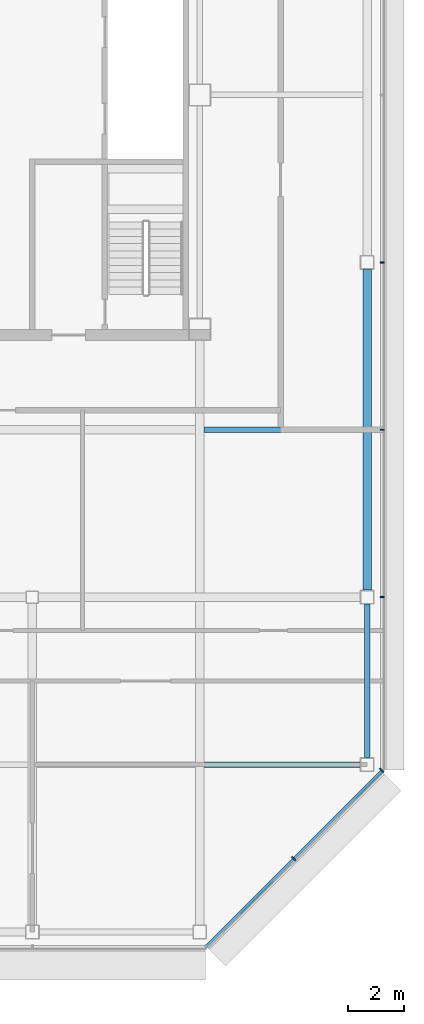
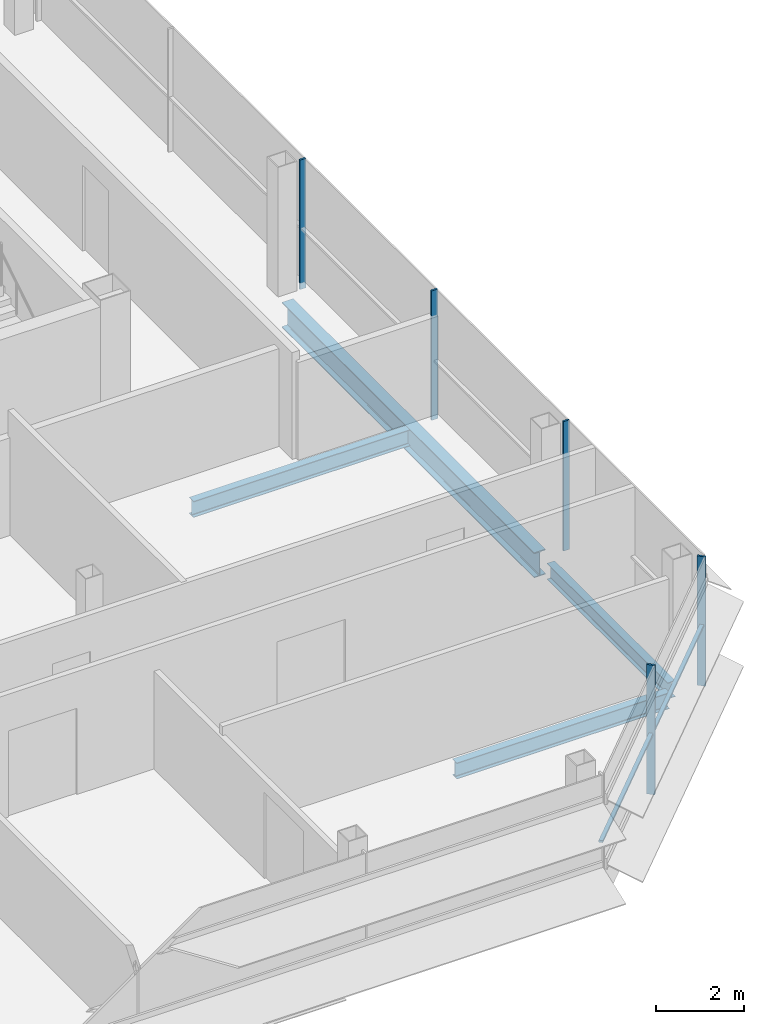
# One storey, part 17 of 27: 6 members, 4 beams, 2 elements without a shape of their own.
"""IFC4 building model written with IfcOpenShell, lengths in metres."""

from ifc_helpers import new_model, si_unit, direction, frame, origin, origin_2d, place, context, subcontext, project, spatial, rectangle, i_section, extrude, material, material_profile, profile_set, type_object, element, aggregate, save


model = new_model("IFC4")

# Units and contexts
model_context = context("Model", 3, precision=1e-05, world=origin(), true_north=direction((0.0, 1.0)))
body_context = subcontext(model_context, "Body", "Model", "MODEL_VIEW")
ifc_project = project(units=[si_unit("LENGTHUNIT", "METRE"), si_unit("AREAUNIT", "SQUARE_METRE"), si_unit("VOLUMEUNIT", "CUBIC_METRE"), si_unit("PLANEANGLEUNIT", "RADIAN"), si_unit("MASSUNIT", "GRAM", prefix="KILO")], contexts=[model_context])

# Site, building, storey
site_placement = place(None, origin())
site = spatial("IfcSite", under=ifc_project, at=site_placement, CompositionType="ELEMENT")
building_placement = place(site_placement, origin())
building = spatial("IfcBuilding", under=site, at=building_placement, Name="Sorahane Residences", CompositionType="ELEMENT")
storey_placement = place(building_placement, frame((0.0, 0.0, 323.199951171875)))
storey = spatial("IfcBuildingStorey", under=building, at=storey_placement, Name="L77", CompositionType="ELEMENT", Elevation=323.199951171875)

# Curtain wall, members
ifc_material_1 = material(Name="Dark low-e glass and black anodised aluminium", Category="aluminium")
curtain_wall_type_1 = type_object("IfcCurtainWallType", Name="Curtain wall CW-1 Typical unitised wall", PredefinedType="NOTDEFINED", material=ifc_material_1)
curtain_wall_1_placement = place(storey_placement, origin())
curtain_wall_1 = element("IfcCurtainWall", 1, at=curtain_wall_1_placement, inside=storey, type_object=curtain_wall_type_1, Name="CW-1 curtain wall L77 E1", PredefinedType="NOTDEFINED")
ifc_material_2 = material(Name="Black anodised aluminium", Category="aluminium")
ifc_material_profile_1 = material_profile(ifc_material_2, rectangle(XDim=0.159912109375, YDim=0.050048828125, at=origin_2d()), Name="Curtain wall mullion CW-1 black anodised aluminium 50x160")
ifc_profile_set_1 = profile_set([ifc_material_profile_1], Name="Black anodised aluminium")
member_type_1 = type_object("IfcMemberType", Name="Curtain wall mullion CW-1 black anodised aluminium 50x160", PredefinedType="MULLION", material=ifc_profile_set_1)
member_1_placement = place(storey_placement, frame((48.5400390625, 12.0, -0.179931640625), z_axis=(0.0, 0.0, 1.0), x_axis=(1.0, 0.0, 0.0)))
member_1 = element("IfcMember", 2, at=member_1_placement, type_object=member_type_1, Name="CW-1 mullion L77 E1.2", PredefinedType="MULLION", context=body_context, shape_type="SweptSolid", body=[
    extrude(rectangle(XDim=0.159912109375, YDim=0.050048828125, at=origin_2d()), origin(), (0.0, 0.0, 1.0), 3.60009765625),
])
member_2_placement = place(storey_placement, frame((48.5400390625, 18.0, -0.179931640625), z_axis=(0.0, 0.0, 1.0), x_axis=(1.0, 0.0, 0.0)))
member_2 = element("IfcMember", 3, at=member_2_placement, type_object=member_type_1, Name="CW-1 mullion L77 E1.3", PredefinedType="MULLION", context=body_context, shape_type="SweptSolid", body=[
    extrude(rectangle(XDim=0.159912109375, YDim=0.050048828125, at=origin_2d()), origin(), (0.0, 0.0, 1.0), 3.60009765625),
])
member_3_placement = place(storey_placement, frame((48.5400390625, 24.0, -0.179931640625), z_axis=(0.0, 0.0, 1.0), x_axis=(1.0, 0.0, 0.0)))
member_3 = element("IfcMember", 4, at=member_3_placement, type_object=member_type_1, Name="CW-1 mullion L77 E1.4", PredefinedType="MULLION", context=body_context, shape_type="SweptSolid", body=[
    extrude(rectangle(XDim=0.159912109375, YDim=0.050048828125, at=origin_2d()), origin(), (0.0, 0.0, 1.0), 3.60009765625),
])
aggregate(curtain_wall_1, [member_1, member_2, member_3])

ifc_material_3 = material(Name="Dark low-e glass and black anodised aluminium", Category="aluminium")
curtain_wall_type_2 = type_object("IfcCurtainWallType", Name="Curtain wall CW-2 Chamfer unitised wall", PredefinedType="NOTDEFINED", material=ifc_material_3)
curtain_wall_2_placement = place(storey_placement, origin())
curtain_wall_2 = element("IfcCurtainWall", 5, at=curtain_wall_2_placement, inside=storey, type_object=curtain_wall_type_2, Name="CW-2 curtain wall L77 SE1", PredefinedType="NOTDEFINED")
ifc_material_4 = material(Name="Black anodised aluminium", Category="aluminium")
ifc_material_profile_2 = material_profile(ifc_material_4, rectangle(XDim=0.199951171875, YDim=0.050048828125, at=origin_2d()), Name="Curtain wall mullion CW-2 black anodised aluminium 50x200")
ifc_profile_set_2 = profile_set([ifc_material_profile_2], Name="Black anodised aluminium")
member_type_2 = type_object("IfcMemberType", Name="Curtain wall mullion CW-2 black anodised aluminium 50x200", PredefinedType="MULLION", material=ifc_profile_set_2)
member_4_placement = place(storey_placement, frame((45.36767578125, 2.63232421875, -0.179931640625), z_axis=(0.0, 0.0, 1.0), x_axis=(0.707106781187, -0.707106781187, 0.0)))
member_4 = element("IfcMember", 6, at=member_4_placement, type_object=member_type_2, Name="CW-2 mullion L77 SE1.2", PredefinedType="MULLION", context=body_context, shape_type="SweptSolid", body=[
    extrude(rectangle(XDim=0.199951171875, YDim=0.050048828125, at=origin_2d()), origin(), (0.0, 0.0, 1.0), 3.60009765625),
])
member_5_placement = place(storey_placement, frame((48.525634765625, 5.790283203125, -0.179931640625), z_axis=(0.0, 0.0, 1.0), x_axis=(0.707106781187, -0.707106781187, 0.0)))
member_5 = element("IfcMember", 7, at=member_5_placement, type_object=member_type_2, Name="CW-2 mullion L77 SE1.3", PredefinedType="MULLION", context=body_context, shape_type="SweptSolid", body=[
    extrude(rectangle(XDim=0.199951171875, YDim=0.050048828125, at=origin_2d()), origin(), (0.0, 0.0, 1.0), 3.60009765625),
])
ifc_material_5 = material(Name="Black anodised aluminium", Category="aluminium")
ifc_material_profile_3 = material_profile(ifc_material_5, rectangle(XDim=0.10009765625, YDim=0.06005859375, at=origin_2d()), Name="Curtain wall transom CW-2 black anodised aluminium 60x100")
ifc_profile_set_3 = profile_set([ifc_material_profile_3], Name="Black anodised aluminium")
member_type_3 = type_object("IfcMemberType", Name="Curtain wall transom CW-2 black anodised aluminium 60x100", PredefinedType="USERDEFINED", material=ifc_profile_set_3)
member_6_placement = place(storey_placement, frame((42.234375, -0.51513671875, 1.5), z_axis=(0.707106781187, 0.707106781187, 0.0), x_axis=(-0.707106781187, 0.707106781187, 0.0)))
member_6 = element("IfcMember", 8, at=member_6_placement, type_object=member_type_3, Name="CW-2 transom L77 SE1", ObjectType="TRANSOM", PredefinedType="USERDEFINED", context=body_context, shape_type="SweptSolid", body=[
    extrude(rectangle(XDim=0.10009765625, YDim=0.06005859375, at=origin_2d()), origin(), (0.0, 0.0, 1.0), 8.88232421875),
])
aggregate(curtain_wall_2, [member_4, member_5, member_6])

# Beams
ifc_material_6 = material(Name="Steel Q355B", Category="steel")
ifc_material_profile_4 = material_profile(ifc_material_6, i_section(OverallWidth=0.199951171875, OverallDepth=0.449951171875, WebThickness=0.009033203125, FlangeThickness=0.013916015625, FilletRadius=0.02001953125, at=origin_2d()), Name="HN 450x200x9x14")
ifc_profile_set_4 = profile_set([ifc_material_profile_4], Name="Steel Q355B")
beam_type_1 = type_object("IfcBeamType", Name="Steel floor beam HN 450x200x9x14 Q355B", PredefinedType="BEAM", material=ifc_profile_set_4)
beam_1_placement = place(storey_placement, frame((48.0, 6.25, -0.405029296875), z_axis=(0.0, 1.0, 0.0), x_axis=(-1.0, 0.0, 0.0)))
element("IfcBeam", 9, at=beam_1_placement, inside=storey, type_object=beam_type_1, Name="Beam L77 062", PredefinedType="BEAM", context=body_context, shape_type="SweptSolid", body=[
    extrude(i_section(OverallWidth=0.199951171875, OverallDepth=0.449951171875, WebThickness=0.009033203125, FlangeThickness=0.013916015625, FilletRadius=0.02001953125, at=origin_2d()), origin(), (0.0, 0.0, 1.0), 5.5),
])
beam_2_placement = place(storey_placement, frame((42.14990234375, 6.0, -0.405029296875), z_axis=(1.0, 0.0, 0.0), x_axis=(0.0, 1.0, 0.0)))
element("IfcBeam", 10, at=beam_2_placement, inside=storey, type_object=beam_type_1, Name="Beam L77 075", PredefinedType="BEAM", context=body_context, shape_type="SweptSolid", body=[
    extrude(i_section(OverallWidth=0.199951171875, OverallDepth=0.449951171875, WebThickness=0.009033203125, FlangeThickness=0.013916015625, FilletRadius=0.02001953125, at=origin_2d()), origin(), (0.0, 0.0, 1.0), 5.60009765625),
])
beam_3_placement = place(storey_placement, frame((42.14990234375, 18.0, -0.405029296875), z_axis=(1.0, 0.0, 0.0), x_axis=(0.0, 1.0, 0.0)))
element("IfcBeam", 11, at=beam_3_placement, inside=storey, type_object=beam_type_1, Name="Beam L77 082", PredefinedType="BEAM", context=body_context, shape_type="SweptSolid", body=[
    extrude(i_section(OverallWidth=0.199951171875, OverallDepth=0.449951171875, WebThickness=0.009033203125, FlangeThickness=0.013916015625, FilletRadius=0.02001953125, at=origin_2d()), origin(), (0.0, 0.0, 1.0), 5.7001953125),
])
ifc_material_7 = material(Name="Steel Q355B", Category="steel")
ifc_material_profile_5 = material_profile(ifc_material_7, i_section(OverallWidth=0.300048828125, OverallDepth=0.699951171875, WebThickness=0.012939453125, FlangeThickness=0.02392578125, FilletRadius=0.028076171875, at=origin_2d()), Name="HN 700x300x13x24")
ifc_profile_set_5 = profile_set([ifc_material_profile_5], Name="Steel Q355B")
beam_type_2 = type_object("IfcBeamType", Name="Steel floor beam HN 700x300x13x24 Q355B", PredefinedType="BEAM", material=ifc_profile_set_5)
beam_4_placement = place(storey_placement, frame((48.0, 12.25, -0.530029296875), z_axis=(0.0, 1.0, 0.0), x_axis=(-1.0, 0.0, 0.0)))
element("IfcBeam", 12, at=beam_4_placement, inside=storey, type_object=beam_type_2, Name="Beam L77 063", PredefinedType="BEAM", context=body_context, shape_type="SweptSolid", body=[
    extrude(i_section(OverallWidth=0.300048828125, OverallDepth=0.699951171875, WebThickness=0.012939453125, FlangeThickness=0.02392578125, FilletRadius=0.028076171875, at=origin_2d()), origin(), (0.0, 0.0, 1.0), 11.5),
])

save(model, "model.ifc")
